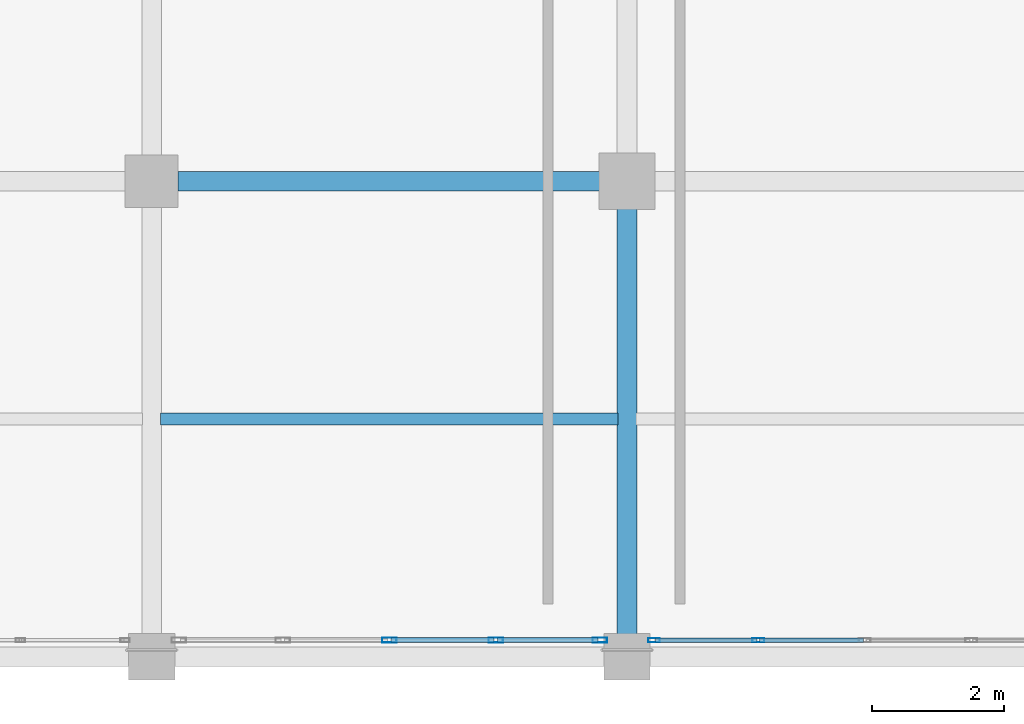
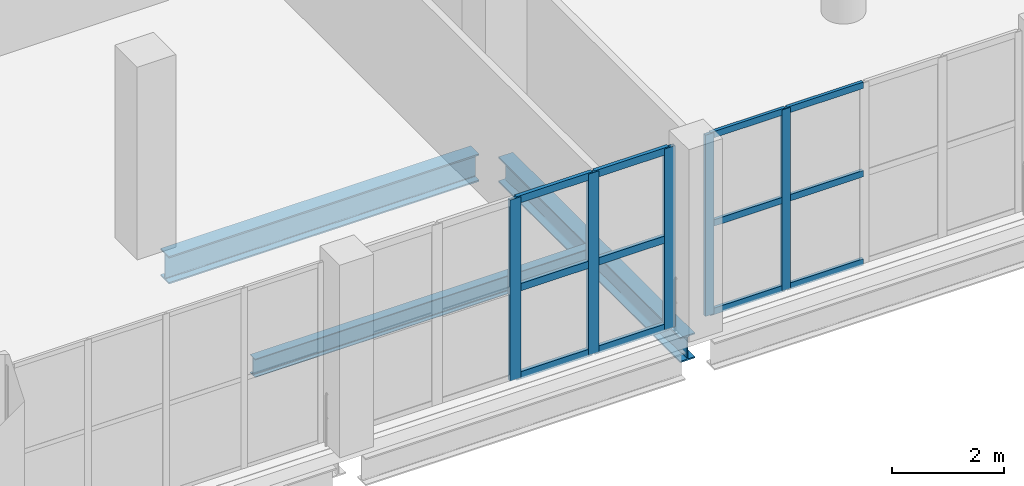
# One storey, part 30 of 153: 17 members, 3 beams, 2 elements without a shape of their own.
"""IFC4 building model written with IfcOpenShell, lengths in metres."""

from ifc_helpers import new_model, si_unit, direction, frame, origin, origin_2d, place, context, subcontext, project, spatial, hollow_rectangle, i_section, extrude, material, material_profile, profile_set, type_object, element, aggregate, save


model = new_model("IFC4")

# Units and contexts
model_context = context("Model", 3, precision=1e-05, world=origin(), true_north=direction((0.0, 1.0)))
body_context = subcontext(model_context, "Body", "Model", "MODEL_VIEW")
ifc_project = project(units=[si_unit("LENGTHUNIT", "METRE"), si_unit("AREAUNIT", "SQUARE_METRE"), si_unit("VOLUMEUNIT", "CUBIC_METRE"), si_unit("PLANEANGLEUNIT", "RADIAN"), si_unit("MASSUNIT", "GRAM", prefix="KILO")], contexts=[model_context])

# Site, building, storey
site_placement = place(None, origin())
site = spatial("IfcSite", under=ifc_project, at=site_placement, CompositionType="ELEMENT")
building_placement = place(site_placement, origin())
building = spatial("IfcBuilding", under=site, at=building_placement, Name="Qandorah Velis Arena", CompositionType="ELEMENT")
storey_placement = place(building_placement, frame((0.0, 0.0, 5.39990234375)))
storey = spatial("IfcBuildingStorey", under=building, at=storey_placement, Name="L01", CompositionType="ELEMENT", Elevation=5.39990234375)

# Curtain wall, members
ifc_material_1 = material(Name="Solar-control low-E double glazing", Category="glass")
curtain_wall_type_1 = type_object("IfcCurtainWallType", Name="ARC-CW-SYS14", PredefinedType="USERDEFINED", material=ifc_material_1)
curtain_wall_1_placement = place(storey_placement, origin())
curtain_wall_1 = element("IfcCurtainWall", 1, at=curtain_wall_1_placement, inside=storey, type_object=curtain_wall_type_1, Name="Unitised curtain wall L01-062", ObjectType="UNITISED CURTAIN WALL", PredefinedType="USERDEFINED")
ifc_material_2 = material(Name="Champagne-bronze anodized aluminium 6063-T6", Category="aluminium")
ifc_material_profile_1 = material_profile(ifc_material_2, hollow_rectangle(XDim=0.06494140625, YDim=0.179931640625, WallThickness=0.00341796875, at=origin_2d()), Name="ALU MULLION 65x180")
ifc_profile_set_1 = profile_set([ifc_material_profile_1], Name="Champagne-bronze anodized aluminium 6063-T6")
member_type_1 = type_object("IfcMemberType", Name="ARC-CWM-180", PredefinedType="MULLION", material=ifc_profile_set_1)
member_1_placement = place(storey_placement, frame((101.20751953125, 0.25, -0.014892578125), z_axis=(0.0, 0.0, 1.0), x_axis=(0.0, 1.0, 0.0)))
member_1 = element("IfcMember", 2, at=member_1_placement, type_object=member_type_1, Name="CW14 mullion 1", PredefinedType="MULLION", context=body_context, shape_type="SweptSolid", body=[
    extrude(hollow_rectangle(XDim=0.06494140625, YDim=0.179931640625, WallThickness=0.00341796875, at=origin_2d()), origin(), (0.0, 0.0, 1.0), 3.949951171875),
])
member_2_placement = place(storey_placement, frame((102.78759765625, 0.25, -0.014892578125), z_axis=(0.0, 0.0, 1.0), x_axis=(0.0, 1.0, 0.0)))
member_2 = element("IfcMember", 3, at=member_2_placement, type_object=member_type_1, Name="CW14 mullion 2", PredefinedType="MULLION", context=body_context, shape_type="SweptSolid", body=[
    extrude(hollow_rectangle(XDim=0.06494140625, YDim=0.179931640625, WallThickness=0.00341796875, at=origin_2d()), origin(), (0.0, 0.0, 1.0), 3.949951171875),
])

curtain_wall_type_2 = type_object("IfcCurtainWallType", Name="ARC-CW-SYS13", PredefinedType="USERDEFINED", material=ifc_material_1)
curtain_wall_2_placement = place(storey_placement, origin())
curtain_wall_2 = element("IfcCurtainWall", 4, at=curtain_wall_2_placement, inside=storey, type_object=curtain_wall_type_2, Name="Unitised curtain wall L01-061", ObjectType="UNITISED CURTAIN WALL", PredefinedType="USERDEFINED")
ifc_material_profile_2 = material_profile(ifc_material_2, hollow_rectangle(XDim=0.074951171875, YDim=0.219970703125, WallThickness=0.00390625, at=origin_2d()), Name="ALU MULLION 75x220")
ifc_profile_set_2 = profile_set([ifc_material_profile_2], Name="Champagne-bronze anodized aluminium 6063-T6")
member_type_2 = type_object("IfcMemberType", Name="ARC-CWM-220", PredefinedType="MULLION", material=ifc_profile_set_2)
member_3_placement = place(storey_placement, frame((97.199951171875, 0.25, -0.014892578125), z_axis=(0.0, 0.0, 1.0), x_axis=(0.0, 1.0, 0.0)))
member_3 = element("IfcMember", 5, at=member_3_placement, type_object=member_type_2, Name="CW13 mullion 3", PredefinedType="MULLION", context=body_context, shape_type="SweptSolid", body=[
    extrude(hollow_rectangle(XDim=0.074951171875, YDim=0.219970703125, WallThickness=0.00390625, at=origin_2d()), origin(), (0.0, 0.0, 1.0), 3.949951171875),
])
member_4_placement = place(storey_placement, frame((98.8125, 0.25, -0.014892578125), z_axis=(0.0, 0.0, 1.0), x_axis=(0.0, 1.0, 0.0)))
member_4 = element("IfcMember", 6, at=member_4_placement, type_object=member_type_2, Name="CW13 mullion 4", PredefinedType="MULLION", context=body_context, shape_type="SweptSolid", body=[
    extrude(hollow_rectangle(XDim=0.074951171875, YDim=0.219970703125, WallThickness=0.00390625, at=origin_2d()), origin(), (0.0, 0.0, 1.0), 3.949951171875),
])
member_5_placement = place(storey_placement, frame((100.387451171875, 0.25, -0.014892578125), z_axis=(0.0, 0.0, 1.0), x_axis=(0.0, 1.0, 0.0)))
member_5 = element("IfcMember", 7, at=member_5_placement, type_object=member_type_2, Name="CW13 mullion 5", PredefinedType="MULLION", context=body_context, shape_type="SweptSolid", body=[
    extrude(hollow_rectangle(XDim=0.074951171875, YDim=0.219970703125, WallThickness=0.00390625, at=origin_2d()), origin(), (0.0, 0.0, 1.0), 3.949951171875),
])

# Member
ifc_material_profile_3 = material_profile(ifc_material_2, hollow_rectangle(XDim=0.06494140625, YDim=0.139892578125, WallThickness=0.0029296875, at=origin_2d()), Name="ALU TRANSOM 65x140")
ifc_profile_set_3 = profile_set([ifc_material_profile_3], Name="Champagne-bronze anodized aluminium 6063-T6")
member_type_3 = type_object("IfcMemberType", Name="ARC-CWT-140", PredefinedType="USERDEFINED", material=ifc_profile_set_3)
member_6_placement = place(storey_placement, frame((101.22802734375, 0.25, 0.03271484375), z_axis=(1.0, 0.0, 0.0), x_axis=(0.0, 1.0, 0.0)))
member_6 = element("IfcMember", 8, at=member_6_placement, type_object=member_type_3, Name="CW14 transom 1.1", ObjectType="TRANSOM", PredefinedType="USERDEFINED", context=body_context, shape_type="SweptSolid", body=[
    extrude(hollow_rectangle(XDim=0.06494140625, YDim=0.139892578125, WallThickness=0.0029296875, at=origin_2d()), origin(), (0.0, 0.0, 1.0), 1.5390625),
])

member_7_placement = place(storey_placement, frame((101.22802734375, 0.25, 1.960205078125), z_axis=(1.0, 0.0, 0.0), x_axis=(0.0, 1.0, 0.0)))
member_7 = element("IfcMember", 9, at=member_7_placement, type_object=member_type_3, Name="CW14 transom 1.2", ObjectType="TRANSOM", PredefinedType="USERDEFINED", context=body_context, shape_type="SweptSolid", body=[
    extrude(hollow_rectangle(XDim=0.06494140625, YDim=0.139892578125, WallThickness=0.0029296875, at=origin_2d()), origin(), (0.0, 0.0, 1.0), 1.5390625),
])

member_8_placement = place(storey_placement, frame((101.22802734375, 0.25, 3.8876953125), z_axis=(1.0, 0.0, 0.0), x_axis=(0.0, 1.0, 0.0)))
member_8 = element("IfcMember", 10, at=member_8_placement, type_object=member_type_3, Name="CW14 transom 1.3", ObjectType="TRANSOM", PredefinedType="USERDEFINED", context=body_context, shape_type="SweptSolid", body=[
    extrude(hollow_rectangle(XDim=0.06494140625, YDim=0.139892578125, WallThickness=0.0029296875, at=origin_2d()), origin(), (0.0, 0.0, 1.0), 1.5390625),
])

member_9_placement = place(storey_placement, frame((102.80810546875, 0.25, 0.03271484375), z_axis=(1.0, 0.0, 0.0), x_axis=(0.0, 1.0, 0.0)))
member_9 = element("IfcMember", 11, at=member_9_placement, type_object=member_type_3, Name="CW14 transom 2.1", ObjectType="TRANSOM", PredefinedType="USERDEFINED", context=body_context, shape_type="SweptSolid", body=[
    extrude(hollow_rectangle(XDim=0.06494140625, YDim=0.139892578125, WallThickness=0.0029296875, at=origin_2d()), origin(), (0.0, 0.0, 1.0), 1.5712890625),
])

member_10_placement = place(storey_placement, frame((102.80810546875, 0.25, 1.960205078125), z_axis=(1.0, 0.0, 0.0), x_axis=(0.0, 1.0, 0.0)))
member_10 = element("IfcMember", 12, at=member_10_placement, type_object=member_type_3, Name="CW14 transom 2.2", ObjectType="TRANSOM", PredefinedType="USERDEFINED", context=body_context, shape_type="SweptSolid", body=[
    extrude(hollow_rectangle(XDim=0.06494140625, YDim=0.139892578125, WallThickness=0.0029296875, at=origin_2d()), origin(), (0.0, 0.0, 1.0), 1.5712890625),
])

member_11_placement = place(storey_placement, frame((102.80810546875, 0.25, 3.8876953125), z_axis=(1.0, 0.0, 0.0), x_axis=(0.0, 1.0, 0.0)))
member_11 = element("IfcMember", 13, at=member_11_placement, type_object=member_type_3, Name="CW14 transom 2.3", ObjectType="TRANSOM", PredefinedType="USERDEFINED", context=body_context, shape_type="SweptSolid", body=[
    extrude(hollow_rectangle(XDim=0.06494140625, YDim=0.139892578125, WallThickness=0.0029296875, at=origin_2d()), origin(), (0.0, 0.0, 1.0), 1.5712890625),
])

aggregate(curtain_wall_1, [member_1, member_2, member_6, member_7, member_8, member_9, member_10, member_11])

ifc_material_profile_4 = material_profile(ifc_material_2, hollow_rectangle(XDim=0.074951171875, YDim=0.159912109375, WallThickness=0.00341796875, at=origin_2d()), Name="ALU TRANSOM 75x160")
ifc_profile_set_4 = profile_set([ifc_material_profile_4], Name="Champagne-bronze anodized aluminium 6063-T6")
member_type_4 = type_object("IfcMemberType", Name="ARC-CWT-160", PredefinedType="USERDEFINED", material=ifc_profile_set_4)
member_12_placement = place(storey_placement, frame((97.2255859375, 0.25, 0.03759765625), z_axis=(1.0, 0.0, 0.0), x_axis=(0.0, 1.0, 0.0)))
member_12 = element("IfcMember", 14, at=member_12_placement, type_object=member_type_4, Name="CW13 transom 3.1", ObjectType="TRANSOM", PredefinedType="USERDEFINED", context=body_context, shape_type="SweptSolid", body=[
    extrude(hollow_rectangle(XDim=0.074951171875, YDim=0.159912109375, WallThickness=0.00341796875, at=origin_2d()), origin(), (0.0, 0.0, 1.0), 1.5615234375),
])

member_13_placement = place(storey_placement, frame((97.2255859375, 0.25, 1.960205078125), z_axis=(1.0, 0.0, 0.0), x_axis=(0.0, 1.0, 0.0)))
member_13 = element("IfcMember", 15, at=member_13_placement, type_object=member_type_4, Name="CW13 transom 3.2", ObjectType="TRANSOM", PredefinedType="USERDEFINED", context=body_context, shape_type="SweptSolid", body=[
    extrude(hollow_rectangle(XDim=0.074951171875, YDim=0.159912109375, WallThickness=0.00341796875, at=origin_2d()), origin(), (0.0, 0.0, 1.0), 1.5615234375),
])

member_14_placement = place(storey_placement, frame((97.2255859375, 0.25, 3.882568359375), z_axis=(1.0, 0.0, 0.0), x_axis=(0.0, 1.0, 0.0)))
member_14 = element("IfcMember", 16, at=member_14_placement, type_object=member_type_4, Name="CW13 transom 3.3", ObjectType="TRANSOM", PredefinedType="USERDEFINED", context=body_context, shape_type="SweptSolid", body=[
    extrude(hollow_rectangle(XDim=0.074951171875, YDim=0.159912109375, WallThickness=0.00341796875, at=origin_2d()), origin(), (0.0, 0.0, 1.0), 1.5615234375),
])

member_15_placement = place(storey_placement, frame((98.837890625, 0.25, 0.03759765625), z_axis=(1.0, 0.0, 0.0), x_axis=(0.0, 1.0, 0.0)))
member_15 = element("IfcMember", 17, at=member_15_placement, type_object=member_type_4, Name="CW13 transom 4.1", ObjectType="TRANSOM", PredefinedType="USERDEFINED", context=body_context, shape_type="SweptSolid", body=[
    extrude(hollow_rectangle(XDim=0.074951171875, YDim=0.159912109375, WallThickness=0.00341796875, at=origin_2d()), origin(), (0.0, 0.0, 1.0), 1.524169921875),
])

member_16_placement = place(storey_placement, frame((98.837890625, 0.25, 1.960205078125), z_axis=(1.0, 0.0, 0.0), x_axis=(0.0, 1.0, 0.0)))
member_16 = element("IfcMember", 18, at=member_16_placement, type_object=member_type_4, Name="CW13 transom 4.2", ObjectType="TRANSOM", PredefinedType="USERDEFINED", context=body_context, shape_type="SweptSolid", body=[
    extrude(hollow_rectangle(XDim=0.074951171875, YDim=0.159912109375, WallThickness=0.00341796875, at=origin_2d()), origin(), (0.0, 0.0, 1.0), 1.524169921875),
])

member_17_placement = place(storey_placement, frame((98.837890625, 0.25, 3.882568359375), z_axis=(1.0, 0.0, 0.0), x_axis=(0.0, 1.0, 0.0)))
member_17 = element("IfcMember", 19, at=member_17_placement, type_object=member_type_4, Name="CW13 transom 4.3", ObjectType="TRANSOM", PredefinedType="USERDEFINED", context=body_context, shape_type="SweptSolid", body=[
    extrude(hollow_rectangle(XDim=0.074951171875, YDim=0.159912109375, WallThickness=0.00341796875, at=origin_2d()), origin(), (0.0, 0.0, 1.0), 1.524169921875),
])

aggregate(curtain_wall_2, [member_3, member_4, member_5, member_12, member_13, member_14, member_15, member_16, member_17])

# Beams
ifc_material_3 = material(Name="Steel S355", Category="steel")
ifc_material_profile_5 = material_profile(ifc_material_3, i_section(OverallWidth=0.300048828125, OverallDepth=0.550048828125, WebThickness=0.014892578125, FlangeThickness=0.029052734375, FilletRadius=0.027099609375, at=origin_2d()), Name="HEB 550")
ifc_profile_set_5 = profile_set([ifc_material_profile_5], Name="Steel S355")
beam_type_1 = type_object("IfcBeamType", Name="STR-BM-HEB550", PredefinedType="BEAM", material=ifc_profile_set_5)
beam_1_placement = place(storey_placement, frame((100.800048828125, 0.300048828125, -0.635009765625), z_axis=(0.0, 1.0, 0.0), x_axis=(-1.0, 0.0, 0.0)))
element("IfcBeam", 20, at=beam_1_placement, inside=storey, type_object=beam_type_1, Name="Primary floor girder L01 Y-350", PredefinedType="BEAM", context=body_context, shape_type="SweptSolid", body=[
    extrude(i_section(OverallWidth=0.300048828125, OverallDepth=0.550048828125, WebThickness=0.014892578125, FlangeThickness=0.029052734375, FilletRadius=0.027099609375, at=origin_2d()), origin(), (0.0, 0.0, 1.0), 6.5),
])
ifc_material_profile_6 = material_profile(ifc_material_3, i_section(OverallWidth=0.300048828125, OverallDepth=0.60009765625, WebThickness=0.015380859375, FlangeThickness=0.030029296875, FilletRadius=0.027099609375, at=origin_2d()), Name="HEB 600")
ifc_profile_set_6 = profile_set([ifc_material_profile_6], Name="Steel S355")
beam_type_2 = type_object("IfcBeamType", Name="STR-BM-HEB600", PredefinedType="BEAM", material=ifc_profile_set_6)
beam_2_placement = place(storey_placement, frame((94.0, 7.199951171875, -0.659912109375), z_axis=(1.0, 0.0, 0.0), x_axis=(0.0, 1.0, 0.0)))
element("IfcBeam", 21, at=beam_2_placement, inside=storey, type_object=beam_type_2, Name="Primary floor girder L01 X-030", PredefinedType="BEAM", context=body_context, shape_type="SweptSolid", body=[
    extrude(i_section(OverallWidth=0.300048828125, OverallDepth=0.60009765625, WebThickness=0.015380859375, FlangeThickness=0.030029296875, FilletRadius=0.027099609375, at=origin_2d()), origin(), (0.0, 0.0, 1.0), 6.39990234375),
])
ifc_material_profile_7 = material_profile(ifc_material_3, i_section(OverallWidth=0.179931640625, OverallDepth=0.39990234375, WebThickness=0.008544921875, FlangeThickness=0.013427734375, FilletRadius=0.02099609375, at=origin_2d()), Name="IPE 400")
ifc_profile_set_7 = profile_set([ifc_material_profile_7], Name="Steel S355")
beam_type_3 = type_object("IfcBeamType", Name="STR-JST-IPE400", PredefinedType="JOIST", material=ifc_profile_set_7)
beam_3_placement = place(storey_placement, frame((93.735107421875, 3.60009765625, -0.559814453125), z_axis=(1.0, 0.0, 0.0), x_axis=(0.0, 1.0, 0.0)))
element("IfcBeam", 22, at=beam_3_placement, inside=storey, type_object=beam_type_3, Name="Secondary floor joist L01-103", PredefinedType="JOIST", context=body_context, shape_type="SweptSolid", body=[
    extrude(i_section(OverallWidth=0.179931640625, OverallDepth=0.39990234375, WebThickness=0.008544921875, FlangeThickness=0.013427734375, FilletRadius=0.02099609375, at=origin_2d()), origin(), (0.0, 0.0, 1.0), 6.929931640625),
])

save(model, "model.ifc")
